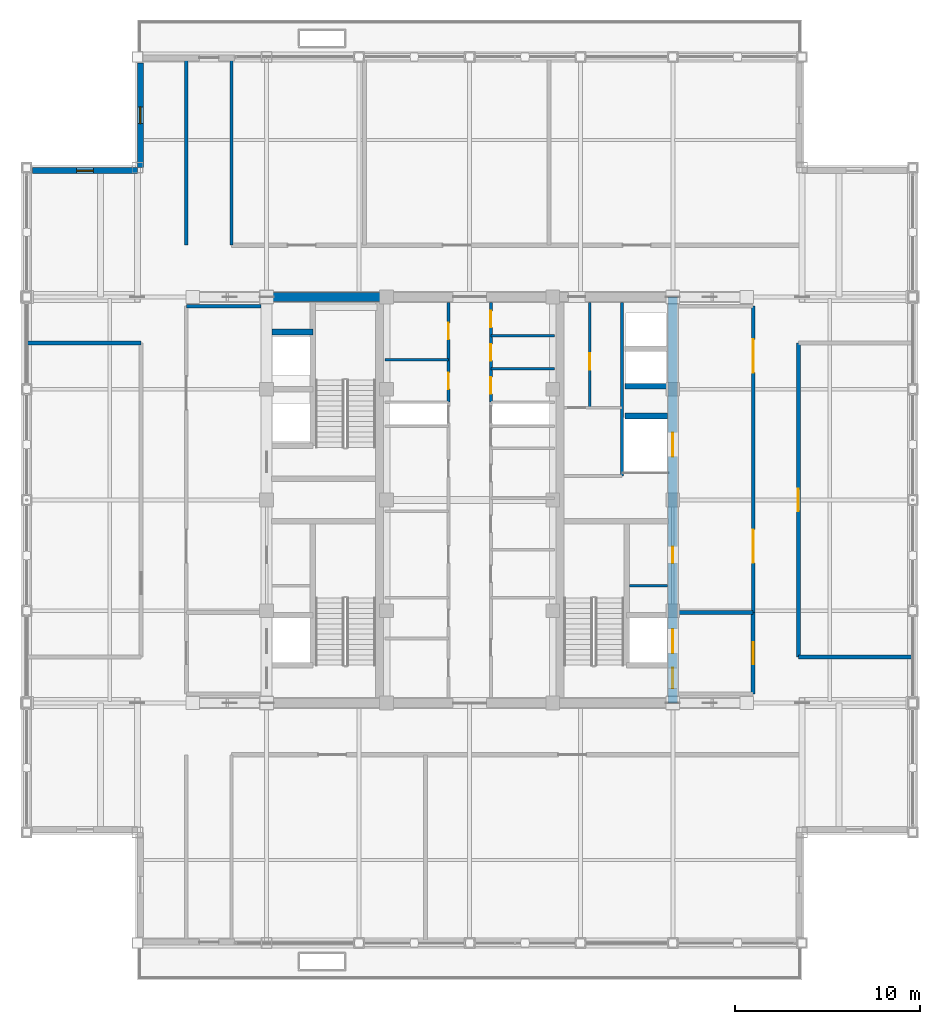
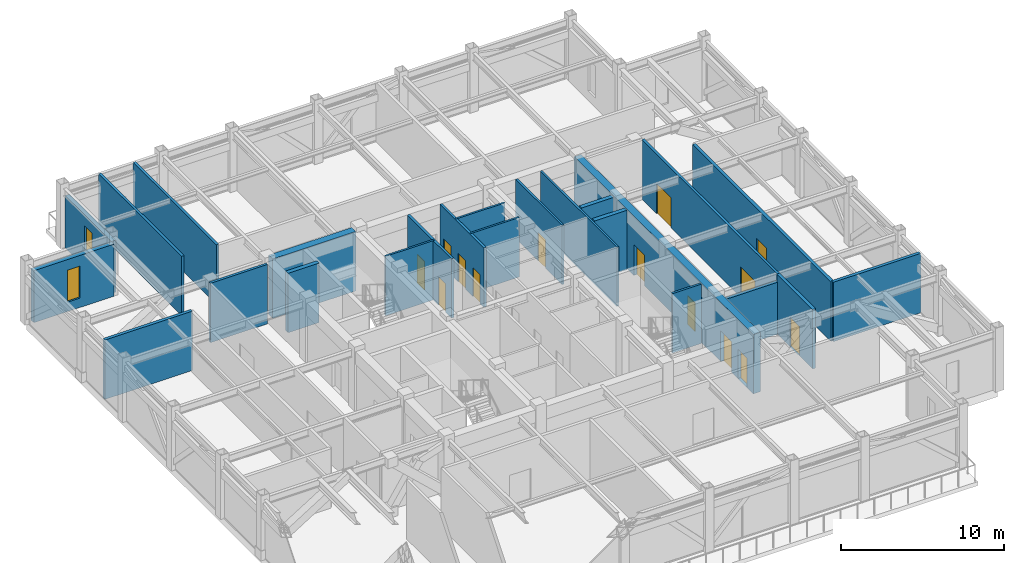
# One storey, part 28 of 32: 24 walls, 14 doors, 2 windows, 16 openings.
"""IFC4 building model written with IfcOpenShell, lengths in metres."""

from ifc_helpers import new_model, si_unit, direction, frame, frame_2d, origin, place, context, subcontext, project, spatial, rectangle, extrude, source, transform, mapped, material, layer, layer_set, type_object, element, fill, save


model = new_model("IFC4")

# Units and contexts
model_context = context("Model", 3, precision=1e-05, world=origin(), true_north=direction((0.0, 1.0)))
body_context = subcontext(model_context, "Body", "Model", "MODEL_VIEW")
ifc_project = project(units=[si_unit("LENGTHUNIT", "METRE"), si_unit("AREAUNIT", "SQUARE_METRE"), si_unit("VOLUMEUNIT", "CUBIC_METRE"), si_unit("PLANEANGLEUNIT", "RADIAN"), si_unit("MASSUNIT", "GRAM", prefix="KILO")], contexts=[model_context])

# Site, building, storey
site_placement = place(None, origin())
site = spatial("IfcSite", under=ifc_project, at=site_placement, CompositionType="ELEMENT")
building_placement = place(site_placement, origin())
building = spatial("IfcBuilding", under=site, at=building_placement, Name="Khorayat Bourse Tower", CompositionType="ELEMENT")
storey_placement = place(building_placement, frame((0.0, 0.0, 375.5)))
storey = spatial("IfcBuildingStorey", under=building, at=storey_placement, Name="L89", CompositionType="ELEMENT", Elevation=375.5)

# Wall, openings, doors
ifc_material_1 = material(Name="Concrete C52/65", Category="concrete")
ifc_layer_1 = layer(ifc_material_1, 0.5)
ifc_layer_set_1 = layer_set([ifc_layer_1], Name="Concrete C52/65")
wall_type_1 = type_object("IfcWallType", Name="WAL-CORE-500", PredefinedType="SHEAR", material=ifc_layer_set_1)
shared_shape_1 = source(origin(), body_context, "Body", "SweptSolid", [
    extrude(rectangle(XDim=22.0, YDim=0.5, at=frame_2d((11.0, 0.0))), origin(), (0.0, 0.0, 1.0), 4.449951171875),
])
wall_1_placement = place(storey_placement, frame((11.0, -11.0, 0.0), z_axis=(0.0, 0.0, 1.0), x_axis=(0.0, 1.0, 0.0)))
wall_1 = element("IfcWall", 1, at=wall_1_placement, inside=storey, type_object=wall_type_1, Name="L89 Core Shear Wall CORE-E", PredefinedType="SHEAR", context=body_context, shape_type="MappedRepresentation", body=[
    mapped(shared_shape_1, transform((0.0, 0.0, 0.0), scale=1.0)),
])
shared_shape_2 = source(origin(), body_context, "Body", "SweptSolid", [
    extrude(rectangle(XDim=1.10009765625, YDim=2.199951171875, at=frame_2d((0.550048828125, 1.10009765625))), frame((0.0, 0.260009765625, 0.0), z_axis=(0.0, -1.0, 0.0), x_axis=(1.0, 0.0, 0.0)), (0.0, 0.0, 1.0), 0.52001953125),
])
opening_1_placement = place(wall_1_placement, frame((0.800048828125, 0.0, 0.0)))
opening_1 = element("IfcOpeningElement", 2, at=opening_1_placement, cuts=wall_1, Name="Opening DI-01", PredefinedType="OPENING", context=body_context, shape_type="MappedRepresentation", body=[
    mapped(shared_shape_2, transform((0.0, 0.0, 0.0), scale=1.0)),
])
shared_shape_3 = source(origin(), body_context, "Body", "SweptSolid", [
    extrude(rectangle(XDim=0.89990234375, YDim=2.14990234375, at=frame_2d((0.449951171875, 1.074951171875))), frame((0.0, 0.260009765625, 0.0), z_axis=(0.0, -1.0, 0.0), x_axis=(1.0, 0.0, 0.0)), (0.0, 0.0, 1.0), 0.52001953125),
])
opening_2_placement = place(wall_1_placement, frame((7.574951171875, 0.0, 0.0)))
opening_2 = element("IfcOpeningElement", 3, at=opening_2_placement, cuts=wall_1, Name="Opening DI-06", PredefinedType="OPENING", context=body_context, shape_type="MappedRepresentation", body=[
    mapped(shared_shape_3, transform((0.0, 0.0, 0.0), scale=1.0)),
])
shared_shape_4 = source(origin(), body_context, "Body", "SweptSolid", [
    extrude(rectangle(XDim=1.300048828125, YDim=2.300048828125, at=frame_2d((0.64990234375, 1.14990234375))), frame((0.0, 0.260009765625, 0.0), z_axis=(0.0, -1.0, 0.0), x_axis=(1.0, 0.0, 0.0)), (0.0, 0.0, 1.0), 0.52001953125),
])
opening_3_placement = place(wall_1_placement, frame((2.699951171875, 0.0, 0.0)))
opening_3 = element("IfcOpeningElement", 4, at=opening_3_placement, cuts=wall_1, Name="Opening LD-02", PredefinedType="OPENING", context=body_context, shape_type="MappedRepresentation", body=[
    mapped(shared_shape_4, transform((0.0, 0.0, 0.0), scale=1.0)),
])
opening_4_placement = place(wall_1_placement, frame((13.35009765625, 0.0, 0.0)))
opening_4 = element("IfcOpeningElement", 5, at=opening_4_placement, cuts=wall_1, Name="Opening LD-02", PredefinedType="OPENING", context=body_context, shape_type="MappedRepresentation", body=[
    mapped(shared_shape_4, transform((0.0, 0.0, 0.0), scale=1.0)),
])
ifc_material_2 = material(Name="Fire-rated steel acoustic leaf", Category="steel")
door_type_1 = type_object("IfcDoorType", Name="DR-INT-STAIR-1100", OperationType="NOTDEFINED", PredefinedType="DOOR", material=ifc_material_2)
shared_shape_5 = source(origin(), body_context, "Body", "SweptSolid", [
    extrude(rectangle(XDim=1.10009765625, YDim=2.199951171875, at=frame_2d((0.550048828125, 1.10009765625))), frame((0.0, 0.02490234375, 0.0), z_axis=(0.0, -1.0, 0.0), x_axis=(1.0, 0.0, 0.0)), (0.0, 0.0, 1.0), 0.050048828125),
])
door_1_placement = place(opening_1_placement, origin())
door_1 = element("IfcDoor", 6, at=door_1_placement, inside=storey, type_object=door_type_1, Name="L89 Exit Stair 3 Door", OperationType="SINGLE_SWING_LEFT", OverallHeight=2.199951171875, OverallWidth=1.10009765625, PredefinedType="DOOR", context=body_context, shape_type="MappedRepresentation", body=[
    mapped(shared_shape_5, transform((0.0, 0.0, 0.0), scale=1.0)),
])
fill(opening_1, door_1)
ifc_material_3 = material(Name="Moisture-resistant laminate washroom door")
door_type_2 = type_object("IfcDoorType", Name="DR-INT-WC-900", OperationType="NOTDEFINED", PredefinedType="DOOR", material=ifc_material_3)
shared_shape_6 = source(origin(), body_context, "Body", "SweptSolid", [
    extrude(rectangle(XDim=0.89990234375, YDim=2.14990234375, at=frame_2d((0.449951171875, 1.074951171875))), frame((0.0, 0.02490234375, 0.0), z_axis=(0.0, -1.0, 0.0), x_axis=(1.0, 0.0, 0.0)), (0.0, 0.0, 1.0), 0.050048828125),
])
door_2_placement = place(opening_2_placement, origin())
door_2 = element("IfcDoor", 7, at=door_2_placement, inside=storey, type_object=door_type_2, Name="L89 Fiber Server Plant Room Door", OperationType="SINGLE_SWING_LEFT", OverallHeight=2.14990234375, OverallWidth=0.89990234375, PredefinedType="DOOR", context=body_context, shape_type="MappedRepresentation", body=[
    mapped(shared_shape_6, transform((0.0, 0.0, 0.0), scale=1.0)),
])
fill(opening_2, door_2)
ifc_material_4 = material(Name="Fire-rated stainless-steel sliding landing door", Category="steel")
door_type_3 = type_object("IfcDoorType", Name="DR-LIFT-FF-1300", OperationType="NOTDEFINED", PredefinedType="DOOR", material=ifc_material_4)
shared_shape_7 = source(origin(), body_context, "Body", "SweptSolid", [
    extrude(rectangle(XDim=1.300048828125, YDim=2.300048828125, at=frame_2d((0.64990234375, 1.14990234375))), frame((0.0, 0.02490234375, 0.0), z_axis=(0.0, -1.0, 0.0), x_axis=(1.0, 0.0, 0.0)), (0.0, 0.0, 1.0), 0.050048828125),
])
door_3_placement = place(opening_3_placement, origin())
door_3 = element("IfcDoor", 8, at=door_3_placement, inside=storey, type_object=door_type_3, Name="L89 Lift FFL-02 Sliding Landing Door", OperationType="SLIDING_TO_LEFT", OverallHeight=2.300048828125, OverallWidth=1.300048828125, PredefinedType="DOOR", context=body_context, shape_type="MappedRepresentation", body=[
    mapped(shared_shape_7, transform((0.0, 0.0, 0.0), scale=1.0)),
])
fill(opening_3, door_3)
door_4_placement = place(opening_4_placement, origin())
door_4 = element("IfcDoor", 9, at=door_4_placement, inside=storey, type_object=door_type_3, Name="L89 Lift SVL-01 Sliding Landing Door", OperationType="SLIDING_TO_LEFT", OverallHeight=2.300048828125, OverallWidth=1.300048828125, PredefinedType="DOOR", context=body_context, shape_type="MappedRepresentation", body=[
    mapped(shared_shape_7, transform((0.0, 0.0, 0.0), scale=1.0)),
])
fill(opening_4, door_4)

# Wall
shared_shape_8 = source(origin(), body_context, "Body", "SweptSolid", [
    extrude(rectangle(XDim=5.89990234375, YDim=0.5, at=frame_2d((2.949951171875, 0.0))), origin(), (0.0, 0.0, 1.0), 4.449951171875),
])
wall_2_placement = place(storey_placement, frame((-10.75, 11.0, 0.0), z_axis=(0.0, 0.0, 1.0), x_axis=(1.0, 0.0, 0.0)))
element("IfcWall", 10, at=wall_2_placement, inside=storey, type_object=wall_type_1, Name="L89 Core Shear Wall PIER-WN", PredefinedType="SHEAR", context=body_context, shape_type="MappedRepresentation", body=[
    mapped(shared_shape_8, transform((0.0, 0.0, 0.0), scale=1.0)),
])

# Wall, opening, window
ifc_material_5 = material(Name="Precast concrete C45/55", Category="concrete")
ifc_layer_2 = layer(ifc_material_5, 0.320068359375)
ifc_layer_set_2 = layer_set([ifc_layer_2], Name="Precast concrete C45/55")
wall_type_2 = type_object("IfcWallType", Name="WAL-EXT-STONE-320", PredefinedType="STANDARD", material=ifc_layer_set_2)
shared_shape_9 = source(origin(), body_context, "Body", "SweptSolid", [
    extrude(rectangle(XDim=5.679931640625, YDim=0.320068359375, at=frame_2d((2.83984375, 0.0))), origin(), (0.0, 0.0, 1.0), 3.90087890625),
])
wall_3_placement = place(storey_placement, frame((-17.840087890625, 18.0, 0.0), z_axis=(0.0, 0.0, 1.0), x_axis=(0.0, 1.0, 0.0)))
wall_3 = element("IfcWall", 11, at=wall_3_placement, inside=storey, type_object=wall_type_2, Name="L89 Re-Entrant Notch Limestone Wall NW-V", PredefinedType="STANDARD", context=body_context, shape_type="MappedRepresentation", body=[
    mapped(shared_shape_9, transform((0.0, 0.0, 0.0), scale=1.0)),
])
shared_shape_10 = source(origin(), body_context, "Body", "SweptSolid", [
    extrude(rectangle(XDim=0.89990234375, YDim=2.39990234375, at=frame_2d((0.449951171875, 1.199951171875))), frame((0.0, 0.169921875, 0.0), z_axis=(0.0, -1.0, 0.0), x_axis=(1.0, 0.0, 0.0)), (0.0, 0.0, 1.0), 0.340087890625),
])
opening_5_placement = place(wall_3_placement, frame((2.389892578125, 0.0, 0.699951171875)))
opening_5 = element("IfcOpeningElement", 12, at=opening_5_placement, cuts=wall_3, Name="Opening WN-03", PredefinedType="OPENING", context=body_context, shape_type="MappedRepresentation", body=[
    mapped(shared_shape_10, transform((0.0, 0.0, 0.0), scale=1.0)),
])
ifc_material_6 = material(Name="Deep-reveal solar-control double glazing", Category="glass")
window_type = type_object("IfcWindowType", Name="WIN-SLOT-900x2400", PartitioningType="SINGLE_PANEL", PredefinedType="WINDOW", material=ifc_material_6)
shared_shape_11 = source(origin(), body_context, "Body", "SweptSolid", [
    extrude(rectangle(XDim=0.89990234375, YDim=2.39990234375, at=frame_2d((0.449951171875, 1.199951171875))), frame((0.0, 0.030029296875, 0.0), z_axis=(0.0, -1.0, 0.0), x_axis=(1.0, 0.0, 0.0)), (0.0, 0.0, 1.0), 0.06005859375),
])
window_1_placement = place(opening_5_placement, origin())
window_1 = element("IfcWindow", 13, at=window_1_placement, inside=storey, type_object=window_type, Name="L89 Facade Window 1", OverallHeight=2.39990234375, OverallWidth=0.89990234375, PartitioningType="SINGLE_PANEL", PredefinedType="WINDOW", context=body_context, shape_type="MappedRepresentation", body=[
    mapped(shared_shape_11, transform((0.0, 0.0, 0.0), scale=1.0)),
])
fill(opening_5, window_1)

wall_4_placement = place(storey_placement, frame((-18.0, 17.840087890625, 0.0), z_axis=(0.0, 0.0, 1.0), x_axis=(-1.0, 0.0, 0.0)))
wall_4 = element("IfcWall", 14, at=wall_4_placement, inside=storey, type_object=wall_type_2, Name="L89 Re-Entrant Notch Limestone Wall NW-H", PredefinedType="STANDARD", context=body_context, shape_type="MappedRepresentation", body=[
    mapped(shared_shape_9, transform((0.0, 0.0, 0.0), scale=1.0)),
])
opening_6_placement = place(wall_4_placement, frame((2.389892578125, 0.0, 0.699951171875)))
opening_6 = element("IfcOpeningElement", 15, at=opening_6_placement, cuts=wall_4, Name="Opening WN-03", PredefinedType="OPENING", context=body_context, shape_type="MappedRepresentation", body=[
    mapped(shared_shape_10, transform((0.0, 0.0, 0.0), scale=1.0)),
])
window_2_placement = place(opening_6_placement, origin())
window_2 = element("IfcWindow", 16, at=window_2_placement, inside=storey, type_object=window_type, Name="L89 Facade Window 1", OverallHeight=2.39990234375, OverallWidth=0.89990234375, PartitioningType="SINGLE_PANEL", PredefinedType="WINDOW", context=body_context, shape_type="MappedRepresentation", body=[
    mapped(shared_shape_11, transform((0.0, 0.0, 0.0), scale=1.0)),
])
fill(opening_6, window_2)

# Walls
ifc_material_7 = material(Name="Concrete C50/60", Category="concrete")
ifc_layer_3 = layer(ifc_material_7, 0.300048828125)
ifc_layer_set_3 = layer_set([ifc_layer_3], Name="Concrete C50/60")
wall_type_3 = type_object("IfcWallType", Name="WAL-SHAFT-300", PredefinedType="SHEAR", material=ifc_layer_set_3)
shared_shape_12 = source(origin(), body_context, "Body", "SweptSolid", [
    extrude(rectangle(XDim=2.199951171875, YDim=0.300048828125, at=frame_2d((1.10009765625, 0.0))), origin(), (0.0, 0.0, 1.0), 4.449951171875),
])
wall_5_placement = place(storey_placement, frame((-10.699951171875, 9.10009765625, 0.0), z_axis=(0.0, 0.0, 1.0), x_axis=(1.0, 0.0, 0.0)))
element("IfcWall", 17, at=wall_5_placement, inside=storey, type_object=wall_type_3, Name="L89 Partition WAL-L89-WPIER-H2N", PredefinedType="SHEAR", context=body_context, shape_type="MappedRepresentation", body=[
    mapped(shared_shape_12, transform((0.0, 0.0, 0.0), scale=1.0)),
])
shared_shape_13 = source(origin(), body_context, "Body", "SweptSolid", [
    extrude(rectangle(XDim=2.300048828125, YDim=0.300048828125, at=frame_2d((1.14990234375, 0.0))), origin(), (0.0, 0.0, 1.0), 4.449951171875),
])
for number, where, z_axis, x_axis, name in (
    (18, (8.39990234375, 4.550048828125, 0.0), (0.0, 0.0, 1.0), (1.0, 0.0, 0.0), "L89 Partition WAL-L89-EPIER-SVLN"),
    (19, (8.39990234375, 6.14990234375, 0.0), (0.0, 0.0, 1.0), (1.0, 0.0, 0.0), "L89 Partition WAL-L89-EPIER-H3S"),
):
    element("IfcWall", number, at=place(storey_placement, frame(where, z_axis=z_axis, x_axis=x_axis)), inside=storey, type_object=wall_type_3, Name=name, PredefinedType="SHEAR", context=body_context, shape_type="MappedRepresentation", body=[
        mapped(shared_shape_13, transform((0.0, 0.0, 0.0), scale=1.0)),
    ])
ifc_material_8 = material(Name="Gypsum plasterboard twin-frame partition")
ifc_layer_4 = layer(ifc_material_8, 0.14990234375)
ifc_layer_set_4 = layer_set([ifc_layer_4], Name="Gypsum plasterboard twin-frame partition")
wall_type_4 = type_object("IfcWallType", Name="WAL-PART-SUITE-150", PredefinedType="PARTITIONING", material=ifc_layer_set_4)
shared_shape_14 = source(origin(), body_context, "Body", "SweptSolid", [
    extrude(rectangle(XDim=2.050048828125, YDim=0.14990234375, at=frame_2d((1.02490234375, 0.0))), origin(), (0.0, 0.0, 1.0), 4.449951171875),
])
wall_6_placement = place(storey_placement, frame((8.64990234375, -4.64990234375, 0.0), z_axis=(0.0, 0.0, 1.0), x_axis=(1.0, 0.0, 0.0)))
element("IfcWall", 20, at=wall_6_placement, inside=storey, type_object=wall_type_4, Name="L89 Partition WAL-L89-ESRV-S0", PredefinedType="PARTITIONING", context=body_context, shape_type="MappedRepresentation", body=[
    mapped(shared_shape_14, transform((0.0, 0.0, 0.0), scale=1.0)),
])
ifc_material_9 = material(Name="Moisture-resistant masonry partition", Category="masonry")
ifc_layer_5 = layer(ifc_material_9, 0.139892578125)
ifc_layer_set_5 = layer_set([ifc_layer_5], Name="Moisture-resistant masonry partition")
wall_type_5 = type_object("IfcWallType", Name="WAL-PART-WET-140", PredefinedType="PARTITIONING", material=ifc_layer_set_5)
shared_shape_15 = source(origin(), body_context, "Body", "SweptSolid", [
    extrude(rectangle(XDim=9.39990234375, YDim=0.139892578125, at=frame_2d((4.699951171875, 0.0))), origin(), (0.0, 0.0, 1.0), 4.449951171875),
])
wall_7_placement = place(storey_placement, frame((8.25, 1.300048828125, 0.0), z_axis=(0.0, 0.0, 1.0), x_axis=(0.0, 1.0, 0.0)))
element("IfcWall", 21, at=wall_7_placement, inside=storey, type_object=wall_type_5, Name="L89 Partition WAL-L89-ECORE-E", PredefinedType="PARTITIONING", context=body_context, shape_type="MappedRepresentation", body=[
    mapped(shared_shape_15, transform((0.0, 0.0, 0.0), scale=1.0)),
])

# Wall, opening, door
shared_shape_16 = source(origin(), body_context, "Body", "SweptSolid", [
    extrude(rectangle(XDim=5.699951171875, YDim=0.139892578125, at=frame_2d((2.85009765625, 0.0))), origin(), (0.0, 0.0, 1.0), 4.449951171875),
])
wall_8_placement = place(storey_placement, frame((6.5, 5.0, 0.0), z_axis=(0.0, 0.0, 1.0), x_axis=(0.0, 1.0, 0.0)))
wall_8 = element("IfcWall", 22, at=wall_8_placement, inside=storey, type_object=wall_type_5, Name="L89 Partition WAL-L89-ECW-MID", PredefinedType="PARTITIONING", context=body_context, shape_type="MappedRepresentation", body=[
    mapped(shared_shape_16, transform((0.0, 0.0, 0.0), scale=1.0)),
])
shared_shape_17 = source(origin(), body_context, "Body", "SweptSolid", [
    extrude(rectangle(XDim=0.89990234375, YDim=2.14990234375, at=frame_2d((0.449951171875, 1.074951171875))), frame((0.0, 0.079833984375, 0.0), z_axis=(0.0, -1.0, 0.0), x_axis=(1.0, 0.0, 0.0)), (0.0, 0.0, 1.0), 0.159912109375),
])
opening_7_placement = place(wall_8_placement, frame((2.050048828125, 0.0, 0.0)))
opening_7 = element("IfcOpeningElement", 23, at=opening_7_placement, cuts=wall_8, Name="Opening DI-06", PredefinedType="OPENING", context=body_context, shape_type="MappedRepresentation", body=[
    mapped(shared_shape_17, transform((0.0, 0.0, 0.0), scale=1.0)),
])
door_5_placement = place(opening_7_placement, origin())
door_5 = element("IfcDoor", 24, at=door_5_placement, inside=storey, type_object=door_type_2, Name="L89 Accessible WC Door", OperationType="SINGLE_SWING_RIGHT", OverallHeight=2.14990234375, OverallWidth=0.89990234375, PredefinedType="DOOR", context=body_context, shape_type="MappedRepresentation", body=[
    mapped(shared_shape_6, transform((0.0, 0.0, 0.0), scale=1.0)),
])
fill(opening_7, door_5)

# Wall
ifc_material_10 = material(Name="Aerated concrete blockwork", Category="masonry")
ifc_layer_6 = layer(ifc_material_10, 0.219970703125)
ifc_layer_set_6 = layer_set([ifc_layer_6], Name="Aerated concrete blockwork")
wall_type_6 = type_object("IfcWallType", Name="WAL-PART-FF-220", PredefinedType="PARTITIONING", material=ifc_layer_set_6)
shared_shape_18 = source(origin(), body_context, "Body", "SweptSolid", [
    extrude(rectangle(XDim=4.050048828125, YDim=0.219970703125, at=frame_2d((2.02490234375, 0.0))), origin(), (0.0, 0.0, 1.0), 3.90087890625),
])
wall_9_placement = place(storey_placement, frame((11.300048828125, -6.10009765625, 0.0), z_axis=(0.0, 0.0, 1.0), x_axis=(1.0, 0.0, 0.0)))
element("IfcWall", 25, at=wall_9_placement, inside=storey, type_object=wall_type_6, Name="L89 Partition WAL-L89-FFLE-N", PredefinedType="PARTITIONING", context=body_context, shape_type="MappedRepresentation", body=[
    mapped(shared_shape_18, transform((0.0, 0.0, 0.0), scale=1.0)),
])

# Wall, opening, door
shared_shape_19 = source(origin(), body_context, "Body", "SweptSolid", [
    extrude(rectangle(XDim=4.39990234375, YDim=0.219970703125, at=frame_2d((2.199951171875, 0.0))), origin(), (0.0, 0.0, 1.0), 4.449951171875),
])
wall_10_placement = place(storey_placement, frame((15.35009765625, -10.5, 0.0), z_axis=(0.0, 0.0, 1.0), x_axis=(0.0, 1.0, 0.0)))
wall_10 = element("IfcWall", 26, at=wall_10_placement, inside=storey, type_object=wall_type_6, Name="L89 Partition WAL-L89-FFLE-E", PredefinedType="PARTITIONING", context=body_context, shape_type="MappedRepresentation", body=[
    mapped(shared_shape_19, transform((0.0, 0.0, 0.0), scale=1.0)),
])
shared_shape_20 = source(origin(), body_context, "Body", "SweptSolid", [
    extrude(rectangle(XDim=1.199951171875, YDim=2.199951171875, at=frame_2d((0.60009765625, 1.10009765625))), frame((0.0, 0.119873046875, 0.0), z_axis=(0.0, -1.0, 0.0), x_axis=(1.0, 0.0, 0.0)), (0.0, 0.0, 1.0), 0.239990234375),
])
opening_8_placement = place(wall_10_placement, frame((1.60009765625, 0.0, 0.0)))
opening_8 = element("IfcOpeningElement", 27, at=opening_8_placement, cuts=wall_10, Name="Opening DI-02", PredefinedType="OPENING", context=body_context, shape_type="MappedRepresentation", body=[
    mapped(shared_shape_20, transform((0.0, 0.0, 0.0), scale=1.0)),
])
ifc_material_11 = material(Name="Fire-rated steel double-seal leaf", Category="steel")
door_type_4 = type_object("IfcDoorType", Name="DR-INT-FFLOBBY-1200", OperationType="NOTDEFINED", PredefinedType="DOOR", material=ifc_material_11)
shared_shape_21 = source(origin(), body_context, "Body", "SweptSolid", [
    extrude(rectangle(XDim=1.199951171875, YDim=2.199951171875, at=frame_2d((0.60009765625, 1.10009765625))), frame((0.0, 0.02490234375, 0.0), z_axis=(0.0, -1.0, 0.0), x_axis=(1.0, 0.0, 0.0)), (0.0, 0.0, 1.0), 0.050048828125),
])
door_6_placement = place(opening_8_placement, origin())
door_6 = element("IfcDoor", 28, at=door_6_placement, inside=storey, type_object=door_type_4, Name="L89 East Firefighting Lobby Door", OperationType="SINGLE_SWING_RIGHT", OverallHeight=2.199951171875, OverallWidth=1.199951171875, PredefinedType="DOOR", context=body_context, shape_type="MappedRepresentation", body=[
    mapped(shared_shape_21, transform((0.0, 0.0, 0.0), scale=1.0)),
])
fill(opening_8, door_6)

# Wall
ifc_material_12 = material(Name="Gypsum plasterboard acoustic stud wall")
ifc_layer_7 = layer(ifc_material_12, 0.179931640625)
ifc_layer_set_7 = layer_set([ifc_layer_7], Name="Gypsum plasterboard acoustic stud wall")
wall_type_7 = type_object("IfcWallType", Name="WAL-PART-CORR-180", PredefinedType="PARTITIONING", material=ifc_layer_set_7)
shared_shape_22 = source(origin(), body_context, "Body", "SweptSolid", [
    extrude(rectangle(XDim=4.050048828125, YDim=0.179931640625, at=frame_2d((2.02490234375, 0.0))), origin(), (0.0, 0.0, 1.0), 4.449951171875),
])
wall_11_placement = place(storey_placement, frame((-15.35009765625, 10.5, 0.0), z_axis=(0.0, 0.0, 1.0), x_axis=(1.0, 0.0, 0.0)))
element("IfcWall", 29, at=wall_11_placement, inside=storey, type_object=wall_type_7, Name="L89 Partition WAL-L89-WLOB-N", PredefinedType="PARTITIONING", context=body_context, shape_type="MappedRepresentation", body=[
    mapped(shared_shape_22, transform((0.0, 0.0, 0.0), scale=1.0)),
])

# Wall, openings, doors
shared_shape_23 = source(origin(), body_context, "Body", "SweptSolid", [
    extrude(rectangle(XDim=16.60009765625, YDim=0.179931640625, at=frame_2d((8.300048828125, 0.0))), origin(), (0.0, 0.0, 1.0), 4.449951171875),
])
wall_12_placement = place(storey_placement, frame((15.35009765625, -6.10009765625, 0.0), z_axis=(0.0, 0.0, 1.0), x_axis=(0.0, 1.0, 0.0)))
wall_12 = element("IfcWall", 30, at=wall_12_placement, inside=storey, type_object=wall_type_7, Name="L89 Partition WAL-L89-ELOB-E", PredefinedType="PARTITIONING", context=body_context, shape_type="MappedRepresentation", body=[
    mapped(shared_shape_23, transform((0.0, 0.0, 0.0), scale=1.0)),
])
shared_shape_24 = source(origin(), body_context, "Body", "SweptSolid", [
    extrude(rectangle(XDim=1.800048828125, YDim=2.25, at=frame_2d((0.89990234375, 1.125))), frame((0.0, 0.099853515625, 0.0), z_axis=(0.0, -1.0, 0.0), x_axis=(1.0, 0.0, 0.0)), (0.0, 0.0, 1.0), 0.199951171875),
])
opening_9_placement = place(wall_12_placement, frame((2.699951171875, 0.0, 0.0)))
opening_9 = element("IfcOpeningElement", 31, at=opening_9_placement, cuts=wall_12, Name="Opening DI-03", PredefinedType="OPENING", context=body_context, shape_type="MappedRepresentation", body=[
    mapped(shared_shape_24, transform((0.0, 0.0, 0.0), scale=1.0)),
])
opening_10_placement = place(wall_12_placement, frame((13.0, 0.0, 0.0)))
opening_10 = element("IfcOpeningElement", 32, at=opening_10_placement, cuts=wall_12, Name="Opening DI-03", PredefinedType="OPENING", context=body_context, shape_type="MappedRepresentation", body=[
    mapped(shared_shape_24, transform((0.0, 0.0, 0.0), scale=1.0)),
])
ifc_material_13 = material(Name="Fire-rated hardwood vision-panel double leaf", Category="wood")
door_type_5 = type_object("IfcDoorType", Name="DR-INT-CORR-1800", OperationType="NOTDEFINED", PredefinedType="DOOR", material=ifc_material_13)
shared_shape_25 = source(origin(), body_context, "Body", "SweptSolid", [
    extrude(rectangle(XDim=1.800048828125, YDim=2.25, at=frame_2d((0.89990234375, 1.125))), frame((0.0, 0.02490234375, 0.0), z_axis=(0.0, -1.0, 0.0), x_axis=(1.0, 0.0, 0.0)), (0.0, 0.0, 1.0), 0.050048828125),
])
door_7_placement = place(opening_9_placement, origin())
door_7 = element("IfcDoor", 33, at=door_7_placement, inside=storey, type_object=door_type_5, Name="L89 East Core Lobby South Door", OperationType="SINGLE_SWING_RIGHT", OverallHeight=2.25, OverallWidth=1.800048828125, PredefinedType="DOOR", context=body_context, shape_type="MappedRepresentation", body=[
    mapped(shared_shape_25, transform((0.0, 0.0, 0.0), scale=1.0)),
])
fill(opening_9, door_7)
door_8_placement = place(opening_10_placement, origin())
door_8 = element("IfcDoor", 34, at=door_8_placement, inside=storey, type_object=door_type_5, Name="L89 East Core Lobby North Door", OperationType="SINGLE_SWING_LEFT", OverallHeight=2.25, OverallWidth=1.800048828125, PredefinedType="DOOR", context=body_context, shape_type="MappedRepresentation", body=[
    mapped(shared_shape_25, transform((0.0, 0.0, 0.0), scale=1.0)),
])
fill(opening_10, door_8)

# Walls
shared_shape_26 = source(origin(), body_context, "Body", "SweptSolid", [
    extrude(rectangle(XDim=3.4501953125, YDim=0.139892578125, at=frame_2d((1.72509765625, 0.0))), origin(), (0.0, 0.0, 1.0), 4.449951171875),
])
for number, where, z_axis, x_axis, name in (
    (35, (-4.60009765625, 7.60009765625, 0.0), (0.0, 0.0, 1.0), (1.0, 0.0, 0.0), "L89 Partition WAL-L89-FB2W-D1"),
    (36, (1.14990234375, 7.10009765625, 0.0), (0.0, 0.0, 1.0), (1.0, 0.0, 0.0), "L89 Partition WAL-L89-FB2E-D1"),
    (37, (1.14990234375, 8.89990234375, 0.0), (0.0, 0.0, 1.0), (1.0, 0.0, 0.0), "L89 Partition WAL-L89-FB2E-D2"),
):
    element("IfcWall", number, at=place(storey_placement, frame(where, z_axis=z_axis, x_axis=x_axis)), inside=storey, type_object=wall_type_5, Name=name, PredefinedType="PARTITIONING", context=body_context, shape_type="MappedRepresentation", body=[
        mapped(shared_shape_26, transform((0.0, 0.0, 0.0), scale=1.0)),
    ])

# Wall, openings, doors
shared_shape_27 = source(origin(), body_context, "Body", "SweptSolid", [
    extrude(rectangle(XDim=5.39990234375, YDim=0.179931640625, at=frame_2d((2.699951171875, 0.0))), origin(), (0.0, 0.0, 1.0), 4.449951171875),
])
wall_13_placement = place(storey_placement, frame((-1.14990234375, 5.300048828125, 0.0), z_axis=(0.0, 0.0, 1.0), x_axis=(0.0, 1.0, 0.0)))
wall_13 = element("IfcWall", 38, at=wall_13_placement, inside=storey, type_object=wall_type_7, Name="L89 Partition WAL-L89-FB2W-L", PredefinedType="PARTITIONING", context=body_context, shape_type="MappedRepresentation", body=[
    mapped(shared_shape_27, transform((0.0, 0.0, 0.0), scale=1.0)),
])
shared_shape_28 = source(origin(), body_context, "Body", "SweptSolid", [
    extrude(rectangle(XDim=0.89990234375, YDim=2.14990234375, at=frame_2d((0.449951171875, 1.074951171875))), frame((0.0, 0.099853515625, 0.0), z_axis=(0.0, -1.0, 0.0), x_axis=(1.0, 0.0, 0.0)), (0.0, 0.0, 1.0), 0.199951171875),
])
opening_11_placement = place(wall_13_placement, frame((0.699951171875, 0.0, 0.0)))
opening_11 = element("IfcOpeningElement", 39, at=opening_11_placement, cuts=wall_13, Name="Opening DI-06", PredefinedType="OPENING", context=body_context, shape_type="MappedRepresentation", body=[
    mapped(shared_shape_28, transform((0.0, 0.0, 0.0), scale=1.0)),
])
opening_12_placement = place(wall_13_placement, frame((3.39990234375, 0.0, 0.0)))
opening_12 = element("IfcOpeningElement", 40, at=opening_12_placement, cuts=wall_13, Name="Opening DI-06", PredefinedType="OPENING", context=body_context, shape_type="MappedRepresentation", body=[
    mapped(shared_shape_28, transform((0.0, 0.0, 0.0), scale=1.0)),
])
door_9_placement = place(opening_11_placement, origin())
door_9 = element("IfcDoor", 41, at=door_9_placement, inside=storey, type_object=door_type_2, Name="L89 Board Archive Store Door", OperationType="SINGLE_SWING_RIGHT", OverallHeight=2.14990234375, OverallWidth=0.89990234375, PredefinedType="DOOR", context=body_context, shape_type="MappedRepresentation", body=[
    mapped(shared_shape_6, transform((0.0, 0.0, 0.0), scale=1.0)),
])
fill(opening_11, door_9)
door_10_placement = place(opening_12_placement, origin())
door_10 = element("IfcDoor", 42, at=door_10_placement, inside=storey, type_object=door_type_2, Name="L89 Smoke Control Plant Room Door", OperationType="SINGLE_SWING_LEFT", OverallHeight=2.14990234375, OverallWidth=0.89990234375, PredefinedType="DOOR", context=body_context, shape_type="MappedRepresentation", body=[
    mapped(shared_shape_6, transform((0.0, 0.0, 0.0), scale=1.0)),
])
fill(opening_12, door_10)

wall_14_placement = place(storey_placement, frame((1.14990234375, 5.300048828125, 0.0), z_axis=(0.0, 0.0, 1.0), x_axis=(0.0, 1.0, 0.0)))
wall_14 = element("IfcWall", 43, at=wall_14_placement, inside=storey, type_object=wall_type_7, Name="L89 Partition WAL-L89-FB2E-L", PredefinedType="PARTITIONING", context=body_context, shape_type="MappedRepresentation", body=[
    mapped(shared_shape_27, transform((0.0, 0.0, 0.0), scale=1.0)),
])
opening_13_placement = place(wall_14_placement, frame((0.449951171875, 0.0, 0.0)))
opening_13 = element("IfcOpeningElement", 44, at=opening_13_placement, cuts=wall_14, Name="Opening DI-06", PredefinedType="OPENING", context=body_context, shape_type="MappedRepresentation", body=[
    mapped(shared_shape_28, transform((0.0, 0.0, 0.0), scale=1.0)),
])
opening_14_placement = place(wall_14_placement, frame((2.25, 0.0, 0.0)))
opening_14 = element("IfcOpeningElement", 45, at=opening_14_placement, cuts=wall_14, Name="Opening DI-06", PredefinedType="OPENING", context=body_context, shape_type="MappedRepresentation", body=[
    mapped(shared_shape_28, transform((0.0, 0.0, 0.0), scale=1.0)),
])
opening_15_placement = place(wall_14_placement, frame((4.050048828125, 0.0, 0.0)))
opening_15 = element("IfcOpeningElement", 46, at=opening_15_placement, cuts=wall_14, Name="Opening DI-06", PredefinedType="OPENING", context=body_context, shape_type="MappedRepresentation", body=[
    mapped(shared_shape_28, transform((0.0, 0.0, 0.0), scale=1.0)),
])
door_11_placement = place(opening_13_placement, origin())
door_11 = element("IfcDoor", 47, at=door_11_placement, inside=storey, type_object=door_type_2, Name="L89 Linen Store Door", OperationType="SINGLE_SWING_RIGHT", OverallHeight=2.14990234375, OverallWidth=0.89990234375, PredefinedType="DOOR", context=body_context, shape_type="MappedRepresentation", body=[
    mapped(shared_shape_6, transform((0.0, 0.0, 0.0), scale=1.0)),
])
fill(opening_13, door_11)
door_12_placement = place(opening_14_placement, origin())
door_12 = element("IfcDoor", 48, at=door_12_placement, inside=storey, type_object=door_type_2, Name="L89 Sub-Meter Room Door", OperationType="SINGLE_SWING_LEFT", OverallHeight=2.14990234375, OverallWidth=0.89990234375, PredefinedType="DOOR", context=body_context, shape_type="MappedRepresentation", body=[
    mapped(shared_shape_6, transform((0.0, 0.0, 0.0), scale=1.0)),
])
fill(opening_14, door_12)
door_13_placement = place(opening_15_placement, origin())
door_13 = element("IfcDoor", 49, at=door_13_placement, inside=storey, type_object=door_type_2, Name="L89 Records Store Door", OperationType="SINGLE_SWING_RIGHT", OverallHeight=2.14990234375, OverallWidth=0.89990234375, PredefinedType="DOOR", context=body_context, shape_type="MappedRepresentation", body=[
    mapped(shared_shape_6, transform((0.0, 0.0, 0.0), scale=1.0)),
])
fill(opening_15, door_13)

# Walls
shared_shape_29 = source(origin(), body_context, "Body", "SweptSolid", [
    extrude(rectangle(XDim=6.199951171875, YDim=0.219970703125, at=frame_2d((3.10009765625, 0.0))), origin(), (0.0, 0.0, 1.0), 4.449951171875),
])
for number, where, z_axis, x_axis, name in (
    (50, (-24.0, 8.5, 0.0), (0.0, 0.0, 1.0), (1.0, 0.0, 0.0), "L89 Partition WAL-L89-PLW-N"),
    (51, (17.800048828125, -8.5, 0.0), (0.0, 0.0, 1.0), (1.0, 0.0, 0.0), "L89 Partition WAL-L89-PLE-S"),
):
    element("IfcWall", number, at=place(storey_placement, frame(where, z_axis=z_axis, x_axis=x_axis)), inside=storey, type_object=wall_type_6, Name=name, PredefinedType="PARTITIONING", context=body_context, shape_type="MappedRepresentation", body=[
        mapped(shared_shape_29, transform((0.0, 0.0, 0.0), scale=1.0)),
    ])

# Wall, opening, door
shared_shape_30 = source(origin(), body_context, "Body", "SweptSolid", [
    extrude(rectangle(XDim=17.0, YDim=0.219970703125, at=frame_2d((8.5, 0.0))), origin(), (0.0, 0.0, 1.0), 4.449951171875),
])
wall_15_placement = place(storey_placement, frame((17.800048828125, -8.5, 0.0), z_axis=(0.0, 0.0, 1.0), x_axis=(0.0, 1.0, 0.0)))
wall_15 = element("IfcWall", 52, at=wall_15_placement, inside=storey, type_object=wall_type_6, Name="L89 Partition WAL-L89-PLE-W", PredefinedType="PARTITIONING", context=body_context, shape_type="MappedRepresentation", body=[
    mapped(shared_shape_30, transform((0.0, 0.0, 0.0), scale=1.0)),
])
opening_16_placement = place(wall_15_placement, frame((7.89990234375, 0.0, 0.0)))
opening_16 = element("IfcOpeningElement", 53, at=opening_16_placement, cuts=wall_15, Name="Opening DI-02", PredefinedType="OPENING", context=body_context, shape_type="MappedRepresentation", body=[
    mapped(shared_shape_20, transform((0.0, 0.0, 0.0), scale=1.0)),
])
door_14_placement = place(opening_16_placement, origin())
door_14 = element("IfcDoor", 54, at=door_14_placement, inside=storey, type_object=door_type_4, Name="L89 Protected Area of Refuge East Door", OperationType="SINGLE_SWING_RIGHT", OverallHeight=2.199951171875, OverallWidth=1.199951171875, PredefinedType="DOOR", context=body_context, shape_type="MappedRepresentation", body=[
    mapped(shared_shape_21, transform((0.0, 0.0, 0.0), scale=1.0)),
])
fill(opening_16, door_14)

# Walls
shared_shape_31 = source(origin(), body_context, "Body", "SweptSolid", [
    extrude(rectangle(XDim=10.199951171875, YDim=0.179931640625, at=frame_2d((5.10009765625, 0.0))), origin(), (0.0, 0.0, 1.0), 4.449951171875),
])
for number, where, z_axis, x_axis, name in (
    (55, (-15.35009765625, 13.800048828125, 0.0), (0.0, 0.0, 1.0), (0.0, 1.0, 0.0), "L89 Partition WAL-L89-TCORRN-W"),
    (56, (-12.89990234375, 13.800048828125, 0.0), (0.0, 0.0, 1.0), (0.0, 1.0, 0.0), "L89 Partition WAL-L89-TCORRN-E"),
):
    element("IfcWall", number, at=place(storey_placement, frame(where, z_axis=z_axis, x_axis=x_axis)), inside=storey, type_object=wall_type_7, Name=name, PredefinedType="PARTITIONING", context=body_context, shape_type="MappedRepresentation", body=[
        mapped(shared_shape_31, transform((0.0, 0.0, 0.0), scale=1.0)),
    ])

save(model, "model.ifc")
